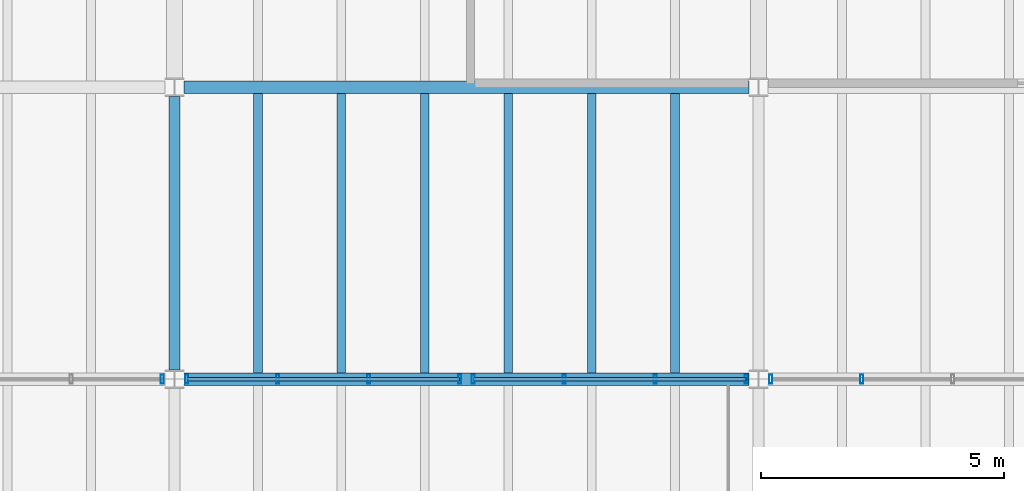
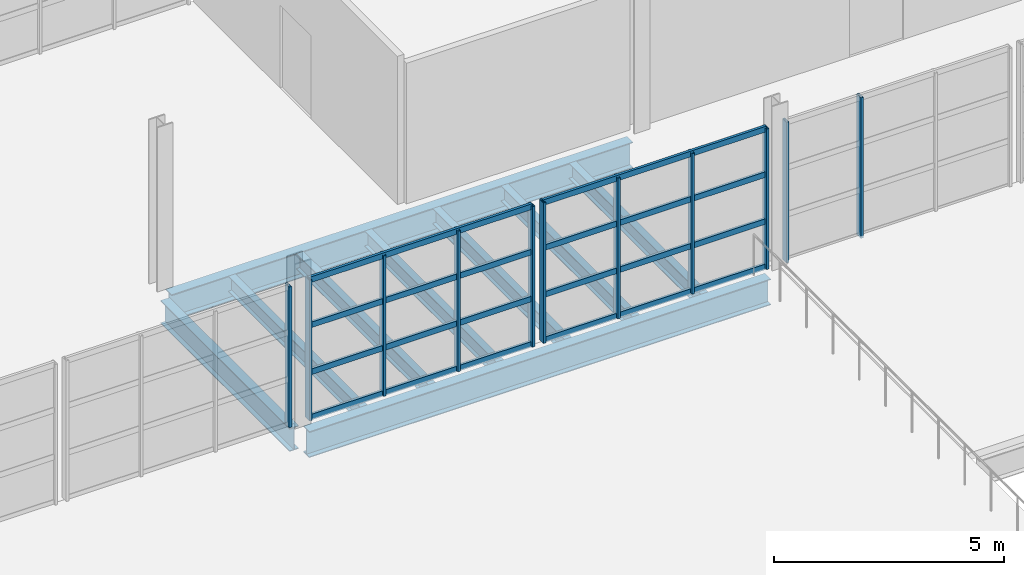
# One storey, part 22 of 78: 19 members, 9 beams, 4 elements without a shape of their own.
"""IFC4 building model written with IfcOpenShell, lengths in metres."""

from ifc_helpers import new_model, si_unit, direction, frame, origin, origin_2d, place, context, subcontext, project, spatial, hollow_rectangle, i_section, extrude, material, material_profile, profile_set, type_object, element, aggregate, save


model = new_model("IFC4")

# Units and contexts
model_context = context("Model", 3, precision=1e-05, world=origin(), true_north=direction((0.0, 1.0)))
body_context = subcontext(model_context, "Body", "Model", "MODEL_VIEW")
ifc_project = project(units=[si_unit("LENGTHUNIT", "METRE"), si_unit("AREAUNIT", "SQUARE_METRE"), si_unit("VOLUMEUNIT", "CUBIC_METRE"), si_unit("PLANEANGLEUNIT", "RADIAN"), si_unit("MASSUNIT", "GRAM", prefix="KILO")], contexts=[model_context])

# Site, building, storey
site_placement = place(None, origin())
site = spatial("IfcSite", under=ifc_project, at=site_placement, CompositionType="ELEMENT")
building_placement = place(site_placement, origin())
building = spatial("IfcBuilding", under=site, at=building_placement, Name="Kelmvaro Bay Concert Hall", CompositionType="ELEMENT")
storey_placement = place(building_placement, frame((0.0, 0.0, 9.300048828125)))
storey = spatial("IfcBuildingStorey", under=building, at=storey_placement, Name="L02", CompositionType="ELEMENT", Elevation=9.300048828125)

# Curtain wall, member
ifc_material_1 = material(Name="Anodised Aluminium and Low-E Insulated Glazing", Category="aluminium")
curtain_wall_type = type_object("IfcCurtainWallType", Name="Upper Salon Waterfront Curtain Wall 4050", PredefinedType="USERDEFINED", material=ifc_material_1)
curtain_wall_1_placement = place(storey_placement, origin())
curtain_wall_1 = element("IfcCurtainWall", 1, at=curtain_wall_1_placement, inside=storey, type_object=curtain_wall_type, Name="Unitised Curtain Wall CW-L02-083", ObjectType="UNITISED GLAZING", PredefinedType="USERDEFINED")
ifc_material_2 = material(Name="Anodised Extruded Aluminium 6063-T6", Category="aluminium")
ifc_material_profile_1 = material_profile(ifc_material_2, hollow_rectangle(XDim=0.06494140625, YDim=0.179931640625, WallThickness=0.00390625, at=origin_2d()), Name="ALU-MUL-180X65")
ifc_profile_set_1 = profile_set([ifc_material_profile_1], Name="Anodised Extruded Aluminium 6063-T6")
member_type_1 = type_object("IfcMemberType", Name="Curtain Mullion ALU 180x65", PredefinedType="MULLION", material=ifc_profile_set_1)
member_1_placement = place(storey_placement, frame((95.7470703125, 24.0, 0.0), z_axis=(0.0, 0.0, 1.0), x_axis=(1.0, 0.0, 0.0)))
member_1 = element("IfcMember", 2, at=member_1_placement, type_object=member_type_1, Name="CW-L02-083 Mullion 01", PredefinedType="MULLION", context=body_context, shape_type="SweptSolid", body=[
    extrude(hollow_rectangle(XDim=0.06494140625, YDim=0.179931640625, WallThickness=0.00390625, at=origin_2d()), origin(), (0.0, 0.0, 1.0), 3.739013671875),
])
aggregate(curtain_wall_1, [member_1])

# Curtain wall, members
curtain_wall_2_placement = place(storey_placement, origin())
curtain_wall_2 = element("IfcCurtainWall", 3, at=curtain_wall_2_placement, inside=storey, type_object=curtain_wall_type, Name="Unitised Curtain Wall CW-L02-084", ObjectType="UNITISED GLAZING", PredefinedType="USERDEFINED")
member_2_placement = place(storey_placement, frame((101.860107421875, 24.0, 0.0), z_axis=(0.0, 0.0, 1.0), x_axis=(1.0, 0.0, 0.0)))
member_2 = element("IfcMember", 4, at=member_2_placement, type_object=member_type_1, Name="CW-L02-084 Mullion 01", PredefinedType="MULLION", context=body_context, shape_type="SweptSolid", body=[
    extrude(hollow_rectangle(XDim=0.06494140625, YDim=0.179931640625, WallThickness=0.00390625, at=origin_2d()), origin(), (0.0, 0.0, 1.0), 3.739013671875),
])
member_3_placement = place(storey_placement, frame((99.990966796875, 24.0, 0.0), z_axis=(0.0, 0.0, 1.0), x_axis=(1.0, 0.0, 0.0)))
member_3 = element("IfcMember", 5, at=member_3_placement, type_object=member_type_1, Name="CW-L02-084 Mullion 02", PredefinedType="MULLION", context=body_context, shape_type="SweptSolid", body=[
    extrude(hollow_rectangle(XDim=0.06494140625, YDim=0.179931640625, WallThickness=0.00390625, at=origin_2d()), origin(), (0.0, 0.0, 1.0), 3.739013671875),
])
member_4_placement = place(storey_placement, frame((98.1220703125, 24.0, 0.0), z_axis=(0.0, 0.0, 1.0), x_axis=(1.0, 0.0, 0.0)))
member_4 = element("IfcMember", 6, at=member_4_placement, type_object=member_type_1, Name="CW-L02-084 Mullion 03", PredefinedType="MULLION", context=body_context, shape_type="SweptSolid", body=[
    extrude(hollow_rectangle(XDim=0.06494140625, YDim=0.179931640625, WallThickness=0.00390625, at=origin_2d()), origin(), (0.0, 0.0, 1.0), 3.739013671875),
])
member_5_placement = place(storey_placement, frame((96.2529296875, 24.0, 0.0), z_axis=(0.0, 0.0, 1.0), x_axis=(1.0, 0.0, 0.0)))
member_5 = element("IfcMember", 7, at=member_5_placement, type_object=member_type_1, Name="CW-L02-084 Mullion 04", PredefinedType="MULLION", context=body_context, shape_type="SweptSolid", body=[
    extrude(hollow_rectangle(XDim=0.06494140625, YDim=0.179931640625, WallThickness=0.00390625, at=origin_2d()), origin(), (0.0, 0.0, 1.0), 3.739013671875),
])

curtain_wall_3_placement = place(storey_placement, origin())
curtain_wall_3 = element("IfcCurtainWall", 8, at=curtain_wall_3_placement, inside=storey, type_object=curtain_wall_type, Name="Unitised Curtain Wall CW-L02-085", ObjectType="UNITISED GLAZING", PredefinedType="USERDEFINED")
member_6_placement = place(storey_placement, frame((107.7470703125, 24.0, 0.0), z_axis=(0.0, 0.0, 1.0), x_axis=(1.0, 0.0, 0.0)))
member_6 = element("IfcMember", 9, at=member_6_placement, type_object=member_type_1, Name="CW-L02-085 Mullion 01", PredefinedType="MULLION", context=body_context, shape_type="SweptSolid", body=[
    extrude(hollow_rectangle(XDim=0.06494140625, YDim=0.179931640625, WallThickness=0.00390625, at=origin_2d()), origin(), (0.0, 0.0, 1.0), 3.739013671875),
])
member_7_placement = place(storey_placement, frame((105.8779296875, 24.0, 0.0), z_axis=(0.0, 0.0, 1.0), x_axis=(1.0, 0.0, 0.0)))
member_7 = element("IfcMember", 10, at=member_7_placement, type_object=member_type_1, Name="CW-L02-085 Mullion 02", PredefinedType="MULLION", context=body_context, shape_type="SweptSolid", body=[
    extrude(hollow_rectangle(XDim=0.06494140625, YDim=0.179931640625, WallThickness=0.00390625, at=origin_2d()), origin(), (0.0, 0.0, 1.0), 3.739013671875),
])
member_8_placement = place(storey_placement, frame((104.009033203125, 24.0, 0.0), z_axis=(0.0, 0.0, 1.0), x_axis=(1.0, 0.0, 0.0)))
member_8 = element("IfcMember", 11, at=member_8_placement, type_object=member_type_1, Name="CW-L02-085 Mullion 03", PredefinedType="MULLION", context=body_context, shape_type="SweptSolid", body=[
    extrude(hollow_rectangle(XDim=0.06494140625, YDim=0.179931640625, WallThickness=0.00390625, at=origin_2d()), origin(), (0.0, 0.0, 1.0), 3.739013671875),
])
member_9_placement = place(storey_placement, frame((102.139892578125, 24.0, 0.0), z_axis=(0.0, 0.0, 1.0), x_axis=(1.0, 0.0, 0.0)))
member_9 = element("IfcMember", 12, at=member_9_placement, type_object=member_type_1, Name="CW-L02-085 Mullion 04", PredefinedType="MULLION", context=body_context, shape_type="SweptSolid", body=[
    extrude(hollow_rectangle(XDim=0.06494140625, YDim=0.179931640625, WallThickness=0.00390625, at=origin_2d()), origin(), (0.0, 0.0, 1.0), 3.739013671875),
])

curtain_wall_4_placement = place(storey_placement, origin())
curtain_wall_4 = element("IfcCurtainWall", 13, at=curtain_wall_4_placement, inside=storey, type_object=curtain_wall_type, Name="Unitised Curtain Wall CW-L02-086", ObjectType="UNITISED GLAZING", PredefinedType="USERDEFINED")
member_10_placement = place(storey_placement, frame((110.1220703125, 24.0, 0.0), z_axis=(0.0, 0.0, 1.0), x_axis=(1.0, 0.0, 0.0)))
member_10 = element("IfcMember", 14, at=member_10_placement, type_object=member_type_1, Name="CW-L02-086 Mullion 03", PredefinedType="MULLION", context=body_context, shape_type="SweptSolid", body=[
    extrude(hollow_rectangle(XDim=0.06494140625, YDim=0.179931640625, WallThickness=0.00390625, at=origin_2d()), origin(), (0.0, 0.0, 1.0), 3.739013671875),
])
member_11_placement = place(storey_placement, frame((108.2529296875, 24.0, 0.0), z_axis=(0.0, 0.0, 1.0), x_axis=(1.0, 0.0, 0.0)))
member_11 = element("IfcMember", 15, at=member_11_placement, type_object=member_type_1, Name="CW-L02-086 Mullion 04", PredefinedType="MULLION", context=body_context, shape_type="SweptSolid", body=[
    extrude(hollow_rectangle(XDim=0.06494140625, YDim=0.179931640625, WallThickness=0.00390625, at=origin_2d()), origin(), (0.0, 0.0, 1.0), 3.739013671875),
])
aggregate(curtain_wall_4, [member_10, member_11])

# Member
ifc_material_3 = material(Name="Anodised Extruded Aluminium 6063-T6", Category="aluminium")
ifc_material_profile_2 = material_profile(ifc_material_3, hollow_rectangle(XDim=0.06494140625, YDim=0.14990234375, WallThickness=0.00390625, at=origin_2d()), Name="ALU-TRN-150X65")
ifc_profile_set_2 = profile_set([ifc_material_profile_2], Name="Anodised Extruded Aluminium 6063-T6")
member_type_2 = type_object("IfcMemberType", Name="Curtain Transom ALU 150x65", PredefinedType="USERDEFINED", material=ifc_profile_set_2)
member_12_placement = place(storey_placement, frame((101.860107421875, 24.0, 0.0400390625), z_axis=(-1.0, 0.0, 0.0), x_axis=(0.0, -1.0, 0.0)))
member_12 = element("IfcMember", 16, at=member_12_placement, type_object=member_type_2, Name="CW-L02-084 Transom 01", ObjectType="TRANSOM", PredefinedType="USERDEFINED", context=body_context, shape_type="SweptSolid", body=[
    extrude(hollow_rectangle(XDim=0.06494140625, YDim=0.14990234375, WallThickness=0.00390625, at=origin_2d()), origin(), (0.0, 0.0, 1.0), 5.607177734375),
])

member_13_placement = place(storey_placement, frame((101.860107421875, 24.0, 1.246337890625), z_axis=(-1.0, 0.0, 0.0), x_axis=(0.0, -1.0, 0.0)))
member_13 = element("IfcMember", 17, at=member_13_placement, type_object=member_type_2, Name="CW-L02-084 Transom 02", ObjectType="TRANSOM", PredefinedType="USERDEFINED", context=body_context, shape_type="SweptSolid", body=[
    extrude(hollow_rectangle(XDim=0.06494140625, YDim=0.14990234375, WallThickness=0.00390625, at=origin_2d()), origin(), (0.0, 0.0, 1.0), 5.607177734375),
])

member_14_placement = place(storey_placement, frame((101.860107421875, 24.0, 2.49267578125), z_axis=(-1.0, 0.0, 0.0), x_axis=(0.0, -1.0, 0.0)))
member_14 = element("IfcMember", 18, at=member_14_placement, type_object=member_type_2, Name="CW-L02-084 Transom 03", ObjectType="TRANSOM", PredefinedType="USERDEFINED", context=body_context, shape_type="SweptSolid", body=[
    extrude(hollow_rectangle(XDim=0.06494140625, YDim=0.14990234375, WallThickness=0.00390625, at=origin_2d()), origin(), (0.0, 0.0, 1.0), 5.607177734375),
])

member_15_placement = place(storey_placement, frame((101.860107421875, 24.0, 3.698974609375), z_axis=(-1.0, 0.0, 0.0), x_axis=(0.0, -1.0, 0.0)))
member_15 = element("IfcMember", 19, at=member_15_placement, type_object=member_type_2, Name="CW-L02-084 Transom 04", ObjectType="TRANSOM", PredefinedType="USERDEFINED", context=body_context, shape_type="SweptSolid", body=[
    extrude(hollow_rectangle(XDim=0.06494140625, YDim=0.14990234375, WallThickness=0.00390625, at=origin_2d()), origin(), (0.0, 0.0, 1.0), 5.607177734375),
])

aggregate(curtain_wall_2, [member_2, member_3, member_4, member_5, member_12, member_13, member_14, member_15])

member_16_placement = place(storey_placement, frame((107.7470703125, 24.0, 0.0400390625), z_axis=(-1.0, 0.0, 0.0), x_axis=(0.0, -1.0, 0.0)))
member_16 = element("IfcMember", 20, at=member_16_placement, type_object=member_type_2, Name="CW-L02-085 Transom 01", ObjectType="TRANSOM", PredefinedType="USERDEFINED", context=body_context, shape_type="SweptSolid", body=[
    extrude(hollow_rectangle(XDim=0.06494140625, YDim=0.14990234375, WallThickness=0.00390625, at=origin_2d()), origin(), (0.0, 0.0, 1.0), 5.607177734375),
])

member_17_placement = place(storey_placement, frame((107.7470703125, 24.0, 1.246337890625), z_axis=(-1.0, 0.0, 0.0), x_axis=(0.0, -1.0, 0.0)))
member_17 = element("IfcMember", 21, at=member_17_placement, type_object=member_type_2, Name="CW-L02-085 Transom 02", ObjectType="TRANSOM", PredefinedType="USERDEFINED", context=body_context, shape_type="SweptSolid", body=[
    extrude(hollow_rectangle(XDim=0.06494140625, YDim=0.14990234375, WallThickness=0.00390625, at=origin_2d()), origin(), (0.0, 0.0, 1.0), 5.607177734375),
])

member_18_placement = place(storey_placement, frame((107.7470703125, 24.0, 2.49267578125), z_axis=(-1.0, 0.0, 0.0), x_axis=(0.0, -1.0, 0.0)))
member_18 = element("IfcMember", 22, at=member_18_placement, type_object=member_type_2, Name="CW-L02-085 Transom 03", ObjectType="TRANSOM", PredefinedType="USERDEFINED", context=body_context, shape_type="SweptSolid", body=[
    extrude(hollow_rectangle(XDim=0.06494140625, YDim=0.14990234375, WallThickness=0.00390625, at=origin_2d()), origin(), (0.0, 0.0, 1.0), 5.607177734375),
])

member_19_placement = place(storey_placement, frame((107.7470703125, 24.0, 3.698974609375), z_axis=(-1.0, 0.0, 0.0), x_axis=(0.0, -1.0, 0.0)))
member_19 = element("IfcMember", 23, at=member_19_placement, type_object=member_type_2, Name="CW-L02-085 Transom 04", ObjectType="TRANSOM", PredefinedType="USERDEFINED", context=body_context, shape_type="SweptSolid", body=[
    extrude(hollow_rectangle(XDim=0.06494140625, YDim=0.14990234375, WallThickness=0.00390625, at=origin_2d()), origin(), (0.0, 0.0, 1.0), 5.607177734375),
])

aggregate(curtain_wall_3, [member_6, member_7, member_8, member_9, member_16, member_17, member_18, member_19])

# Beams
ifc_material_4 = material(Name="Steel ASTM A992 Grade 50", Category="steel")
ifc_material_profile_3 = material_profile(ifc_material_4, i_section(OverallWidth=0.256103515625, OverallDepth=0.693115234375, WebThickness=0.014404296875, FlangeThickness=0.023681640625, at=origin_2d()), Name="W27X114")
ifc_profile_set_3 = profile_set([ifc_material_profile_3], Name="Steel ASTM A992 Grade 50")
beam_type_1 = type_object("IfcBeamType", Name="Foyer Primary Girder W27x114", PredefinedType="BEAM", material=ifc_profile_set_3)
for number, where, z_axis, x_axis, name in (
    (24, (96.197998046875, 24.0, -0.596435546875), (1.0, 0.0, 0.0), (0.0, 1.0, 0.0), "L02 Girder BM-L02-EW-0705"),
    (25, (96.197998046875, 30.0, -0.596435546875), (1.0, 0.0, 0.0), (0.0, 1.0, 0.0), "L02 Girder BM-L02-EW-0715"),
):
    element("IfcBeam", number, at=place(storey_placement, frame(where, z_axis=z_axis, x_axis=x_axis)), inside=storey, type_object=beam_type_1, Name=name, PredefinedType="BEAM", context=body_context, shape_type="SweptSolid", body=[
        extrude(i_section(OverallWidth=0.256103515625, OverallDepth=0.693115234375, WebThickness=0.014404296875, FlangeThickness=0.023681640625, at=origin_2d()), origin(), (0.0, 0.0, 1.0), 11.60400390625),
    ])
ifc_material_5 = material(Name="Steel ASTM A992 Grade 50", Category="steel")
ifc_material_profile_4 = material_profile(ifc_material_5, i_section(OverallWidth=0.179931640625, OverallDepth=0.4140625, WebThickness=0.009765625, FlangeThickness=0.01611328125, at=origin_2d()), Name="W16X50")
ifc_profile_set_4 = profile_set([ifc_material_profile_4], Name="Steel ASTM A992 Grade 50")
beam_type_2 = type_object("IfcBeamType", Name="Terrace Composite Joist W16x50", PredefinedType="JOIST", material=ifc_profile_set_4)
for number, where, z_axis, x_axis, name in (
    (26, (97.71435546875, 24.1279296875, -0.45703125), (0.0, 1.0, 0.0), (-1.0, 0.0, 0.0), "L02 Floor Joist JST-L02-0992"),
    (27, (99.4287109375, 24.1279296875, -0.45703125), (0.0, 1.0, 0.0), (-1.0, 0.0, 0.0), "L02 Floor Joist JST-L02-0993"),
    (28, (101.142822265625, 24.1279296875, -0.45703125), (0.0, 1.0, 0.0), (-1.0, 0.0, 0.0), "L02 Floor Joist JST-L02-0994"),
    (29, (102.857177734375, 24.1279296875, -0.45703125), (0.0, 1.0, 0.0), (-1.0, 0.0, 0.0), "L02 Floor Joist JST-L02-0995"),
    (30, (104.5712890625, 24.1279296875, -0.45703125), (0.0, 1.0, 0.0), (-1.0, 0.0, 0.0), "L02 Floor Joist JST-L02-0996"),
    (31, (106.28564453125, 24.1279296875, -0.45703125), (0.0, 1.0, 0.0), (-1.0, 0.0, 0.0), "L02 Floor Joist JST-L02-0997"),
):
    element("IfcBeam", number, at=place(storey_placement, frame(where, z_axis=z_axis, x_axis=x_axis)), inside=storey, type_object=beam_type_2, Name=name, PredefinedType="JOIST", context=body_context, shape_type="SweptSolid", body=[
        extrude(i_section(OverallWidth=0.179931640625, OverallDepth=0.4140625, WebThickness=0.009765625, FlangeThickness=0.01611328125, at=origin_2d()), origin(), (0.0, 0.0, 1.0), 5.744140625),
    ])
ifc_material_6 = material(Name="Steel ASTM A992 Grade 50", Category="steel")
ifc_material_profile_5 = material_profile(ifc_material_6, i_section(OverallWidth=0.22900390625, OverallDepth=0.612060546875, WebThickness=0.011962890625, FlangeThickness=0.01953125, at=origin_2d()), Name="W24X84")
ifc_profile_set_5 = profile_set([ifc_material_profile_5], Name="Steel ASTM A992 Grade 50")
beam_type_3 = type_object("IfcBeamType", Name="Terrace Edge Girder W24x84", PredefinedType="BEAM", material=ifc_profile_set_5)
beam_placement = place(storey_placement, frame((96.0, 24.1904296875, -0.55615234375), z_axis=(0.0, 1.0, 0.0), x_axis=(-1.0, 0.0, 0.0)))
element("IfcBeam", 32, at=beam_placement, inside=storey, type_object=beam_type_3, Name="L02 Girder BM-L02-NS-0847", PredefinedType="BEAM", context=body_context, shape_type="SweptSolid", body=[
    extrude(i_section(OverallWidth=0.22900390625, OverallDepth=0.612060546875, WebThickness=0.011962890625, FlangeThickness=0.01953125, at=origin_2d()), origin(), (0.0, 0.0, 1.0), 5.619140625),
])

save(model, "model.ifc")
